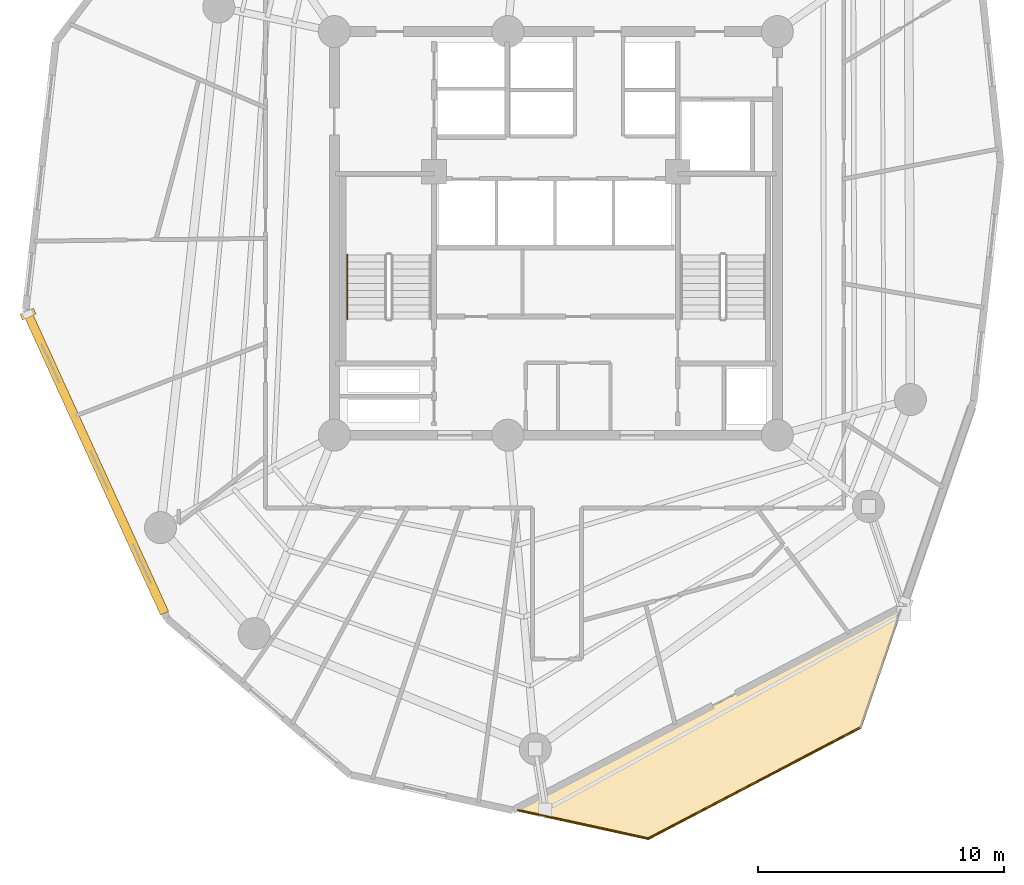
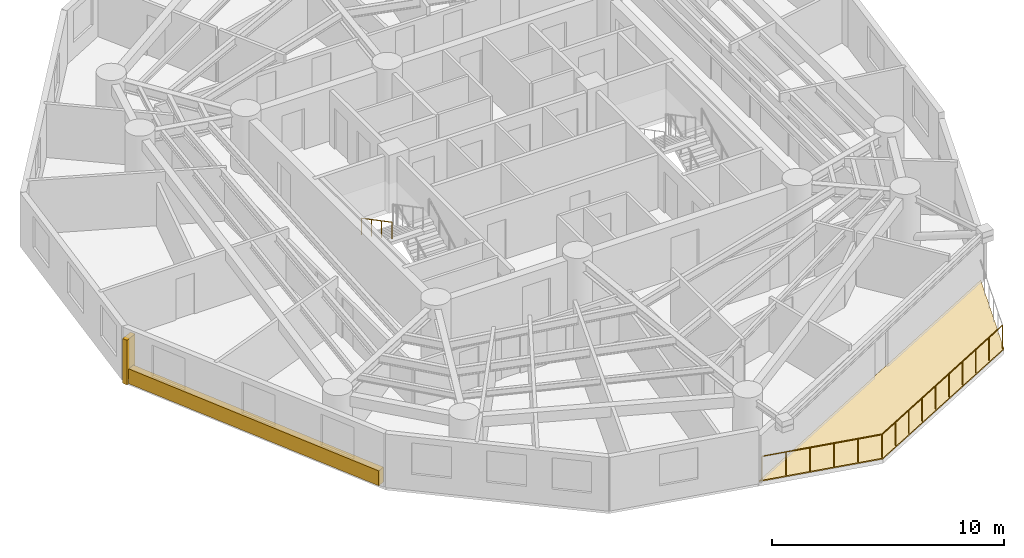
# One storey, part 8 of 10: 3 railings, 2 coverings, 1 shading device.
"""IFC4 building model written with IfcOpenShell, lengths in metres."""

from ifc_helpers import new_model, si_unit, direction, frame, origin, origin_with_axes, origin_2d, place, context, subcontext, project, spatial, polyline, rectangle, circle, outline, extrude, source, transform, mapped, material, layer, layer_set, type_object, element, save


model = new_model("IFC4")

# Units and contexts
model_context = context("Model", 3, precision=1e-05, world=origin(), true_north=direction((0.0, 1.0)))
body_context = subcontext(model_context, "Body", "Model", "MODEL_VIEW")
ifc_project = project(units=[si_unit("LENGTHUNIT", "METRE"), si_unit("AREAUNIT", "SQUARE_METRE"), si_unit("VOLUMEUNIT", "CUBIC_METRE"), si_unit("PLANEANGLEUNIT", "RADIAN"), si_unit("MASSUNIT", "GRAM", prefix="KILO")], contexts=[model_context])

# Site, building, storey
site_placement = place(None, origin())
site = spatial("IfcSite", under=ifc_project, at=site_placement, CompositionType="ELEMENT")
building_placement = place(site_placement, origin())
building = spatial("IfcBuilding", under=site, at=building_placement, Name="Karkom Vertical University and Central Library", CompositionType="ELEMENT")
storey_placement = place(building_placement, frame((0.0, 0.0, 171.800048828125)))
storey = spatial("IfcBuildingStorey", under=building, at=storey_placement, Name="L49", CompositionType="ELEMENT", Elevation=171.800048828125)

# Covering
ifc_material_1 = material(Name="EPDM membrane with Kota stone ballast roofing", Category="masonry")
ifc_layer_1 = layer(ifc_material_1, 0.080078125)
ifc_layer_set_1 = layer_set([ifc_layer_1], Name="EPDM membrane with Kota stone ballast roofing")
covering_type_1 = type_object("IfcCoveringType", Name="ENV-COV-ROOF", PredefinedType="ROOFING", material=ifc_layer_set_1)
covering_1_placement = place(storey_placement, origin())
element("IfcCovering", 1, at=covering_1_placement, inside=storey, type_object=covering_type_1, Name="Level 49 Spiral Sky Garden Waterproofing Covering", PredefinedType="ROOFING", context=body_context, shape_type="SweptSolid", body=[
    extrude(outline(polyline([(40.91064453125, 6.37841796875), (32.263671875, 1.85009765625), (26.781005859375, 3.047119140625), (42.615478515625, 11.339599609375), (40.91064453125, 6.37841796875)])), origin(), (0.0, 0.0, 1.0), 0.06005859375),
])

# Railings
ifc_material_2 = material(Name="Architectural painted steel & laminated glass balustrade", Category="steel")
ifc_layer_2 = layer(ifc_material_2, 0.090087890625)
ifc_layer_set_2 = layer_set([ifc_layer_2], Name="Architectural painted steel & laminated glass balustrade")
railing_type_1 = type_object("IfcRailingType", Name="ENV-RL-BAL1300", PredefinedType="BALUSTRADE", material=ifc_layer_set_2)
railing_1_placement = place(storey_placement, frame((40.86181640625, 6.42041015625, 0.0)))
element("IfcRailing", 2, at=railing_1_placement, inside=storey, type_object=railing_type_1, Name="Level 49 Planted Terrace Safety Balustrade 01", PredefinedType="BALUSTRADE", context=body_context, shape_type="SweptSolid", body=[
    extrude(circle(Radius=0.02392578125, at=origin_2d()), frame((0.0, 0.0, 1.27587890625), z_axis=(-0.885881699189, -0.463911214612, 0.0), x_axis=(0.463911214612, -0.885881699189, 0.0)), (0.0, 0.0, 1.0), 9.71533203125),
    extrude(circle(Radius=0.02099609375, at=origin_2d()), origin(), (0.0, 0.0, 1.0), 1.251953125),
    extrude(circle(Radius=0.02099609375, at=origin_2d()), frame((-0.956298828125, -0.500732421875, 0.0)), (0.0, 0.0, 1.0), 1.251953125),
    extrude(circle(Radius=0.02099609375, at=origin_2d()), frame((-1.91259765625, -1.00146484375, 0.0)), (0.0, 0.0, 1.0), 1.251953125),
    extrude(circle(Radius=0.02099609375, at=origin_2d()), frame((-2.868896484375, -1.50244140625, 0.0)), (0.0, 0.0, 1.0), 1.251953125),
    extrude(circle(Radius=0.02099609375, at=origin_2d()), frame((-3.8251953125, -2.003173828125, 0.0)), (0.0, 0.0, 1.0), 1.251953125),
    extrude(circle(Radius=0.02099609375, at=origin_2d()), frame((-4.781494140625, -2.50390625, 0.0)), (0.0, 0.0, 1.0), 1.251953125),
    extrude(circle(Radius=0.02099609375, at=origin_2d()), frame((-5.73779296875, -3.004638671875, 0.0)), (0.0, 0.0, 1.0), 1.251953125),
    extrude(circle(Radius=0.02099609375, at=origin_2d()), frame((-6.694091796875, -3.505615234375, 0.0)), (0.0, 0.0, 1.0), 1.251953125),
    extrude(circle(Radius=0.02099609375, at=origin_2d()), frame((-7.650390625, -4.00634765625, 0.0)), (0.0, 0.0, 1.0), 1.251953125),
    extrude(circle(Radius=0.02099609375, at=origin_2d()), frame((-8.606689453125, -4.507080078125, 0.0)), (0.0, 0.0, 1.0), 1.251953125),
])
railing_2_placement = place(storey_placement, frame((32.255126953125, 1.913330078125, 0.0)))
element("IfcRailing", 3, at=railing_2_placement, inside=storey, type_object=railing_type_1, Name="Level 49 Planted Terrace Safety Balustrade 02", PredefinedType="BALUSTRADE", context=body_context, shape_type="SweptSolid", body=[
    extrude(circle(Radius=0.02392578125, at=origin_2d()), frame((0.0, 0.0, 1.27587890625), z_axis=(-0.976983030342, 0.21331703735, 0.0), x_axis=(-0.21331703735, -0.976983030342, 0.0)), (0.0, 0.0, 1.0), 5.4248046875),
    extrude(circle(Radius=0.02099609375, at=origin_2d()), origin(), (0.0, 0.0, 1.0), 1.251953125),
    extrude(circle(Radius=0.02099609375, at=origin_2d()), frame((-1.06005859375, 0.2314453125, 0.0)), (0.0, 0.0, 1.0), 1.251953125),
    extrude(circle(Radius=0.02099609375, at=origin_2d()), frame((-2.1201171875, 0.462890625, 0.0)), (0.0, 0.0, 1.0), 1.251953125),
    extrude(circle(Radius=0.02099609375, at=origin_2d()), frame((-3.179931640625, 0.6943359375, 0.0)), (0.0, 0.0, 1.0), 1.251953125),
    extrude(circle(Radius=0.02099609375, at=origin_2d()), frame((-4.239990234375, 0.92578125, 0.0)), (0.0, 0.0, 1.0), 1.251953125),
    extrude(circle(Radius=0.02099609375, at=origin_2d()), frame((-5.300048828125, 1.1572265625, 0.0)), (0.0, 0.0, 1.0), 1.251953125),
])
ifc_material_3 = material(Name="Brushed stainless-steel tubular handrail", Category="steel")
ifc_layer_3 = layer(ifc_material_3, 0.048095703125)
ifc_layer_set_3 = layer_set([ifc_layer_3], Name="Brushed stainless-steel tubular handrail")
railing_type_2 = type_object("IfcRailingType", Name="INT-RL-HAND920", PredefinedType="HANDRAIL", material=ifc_layer_set_3)
railing_3_placement = place(storey_placement, frame((20.030029296875, 25.6298828125, 1.677490234375)))
element("IfcRailing", 4, at=railing_3_placement, inside=storey, type_object=railing_type_2, Name="Level 49 ST-1 stair handrail 2", PredefinedType="HANDRAIL", context=body_context, shape_type="SweptSolid", body=[
    extrude(circle(Radius=0.02392578125, at=origin_2d()), frame((0.0, 0.0, 0.8759765625), z_axis=(0.0, -0.885065446896, 0.46546659892), x_axis=(1.0, 0.0, 0.0)), (0.0, 0.0, 1.0), 2.94873046875),
    extrude(circle(Radius=0.02099609375, at=origin_2d()), origin(), (0.0, 0.0, 1.0), 0.851806640625),
    extrude(circle(Radius=0.02099609375, at=origin_2d()), frame((0.0, -0.869873046875, 0.45751953125)), (0.0, 0.0, 1.0), 0.851806640625),
    extrude(circle(Radius=0.02099609375, at=origin_2d()), frame((0.0, -1.739990234375, 0.9150390625)), (0.0, 0.0, 1.0), 0.851806640625),
    extrude(circle(Radius=0.02099609375, at=origin_2d()), frame((0.0, -2.60986328125, 1.37255859375)), (0.0, 0.0, 1.0), 0.851806640625),
])

# Shading device
ifc_material_4 = material(Name="Terracotta-clad precast concrete sun-breaker fin C45/55", Category="masonry")
shading_device_type = type_object("IfcShadingDeviceType", Name="ENV-SHD-BRISE", PredefinedType="USERDEFINED", material=ifc_material_4)
shared_shape_1 = source(origin_with_axes(), body_context, "Body", "SweptSolid", [
    extrude(rectangle(XDim=0.239990234375, YDim=0.60009765625, at=origin_2d()), origin(), (0.0, 0.0, 1.0), 2.35009765625),
])
shading_device_placement = place(storey_placement, frame((7.04931640625, 23.218017578125, 0.0), z_axis=(0.0, 0.0, 1.0), x_axis=(0.415645924316, -0.909526506266, 0.0)))
element("IfcShadingDevice", 5, at=shading_device_placement, inside=storey, type_object=shading_device_type, Name="Level 49 Brutalist Brise-Soleil Fin 01", ObjectType="BRISE SOLEIL", PredefinedType="USERDEFINED", context=body_context, shape_type="MappedRepresentation", body=[
    mapped(shared_shape_1, transform((0.0, 0.0, 0.0), scale=1.0)),
])

# Covering
ifc_material_5 = material(Name="Hand-pressed red-ochre terracotta brick slip cladding", Category="masonry")
ifc_layer_4 = layer(ifc_material_5, 0.090087890625)
ifc_layer_set_4 = layer_set([ifc_layer_4], Name="Hand-pressed red-ochre terracotta brick slip cladding")
covering_type_2 = type_object("IfcCoveringType", Name="ENV-COV-CLAD", PredefinedType="CLADDING", material=ifc_layer_set_4)
shared_shape_2 = source(origin_with_axes(), body_context, "Body", "SweptSolid", [
    extrude(rectangle(XDim=13.327880859375, YDim=0.360107421875, at=origin_2d()), origin(), (0.0, 0.0, 1.0), 0.780029296875),
])
covering_2_placement = place(storey_placement, frame((9.831298828125, 17.129150390625, 0.0), z_axis=(0.0, 0.0, 1.0), x_axis=(0.415645924316, -0.909526506266, 0.0)))
element("IfcCovering", 6, at=covering_2_placement, inside=storey, type_object=covering_type_2, Name="Level 49 Terracotta Spandrel Cladding 01", PredefinedType="CLADDING", context=body_context, shape_type="MappedRepresentation", body=[
    mapped(shared_shape_2, transform((0.0, 0.0, 0.0), scale=1.0)),
])

save(model, "model.ifc")
